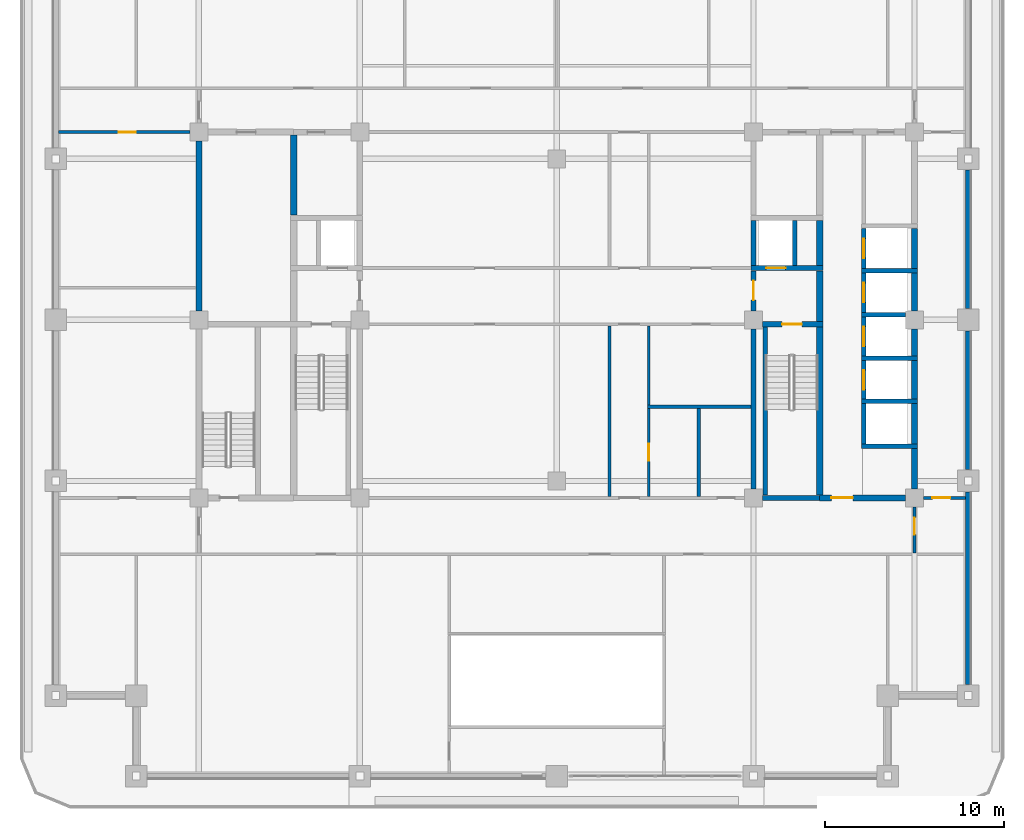
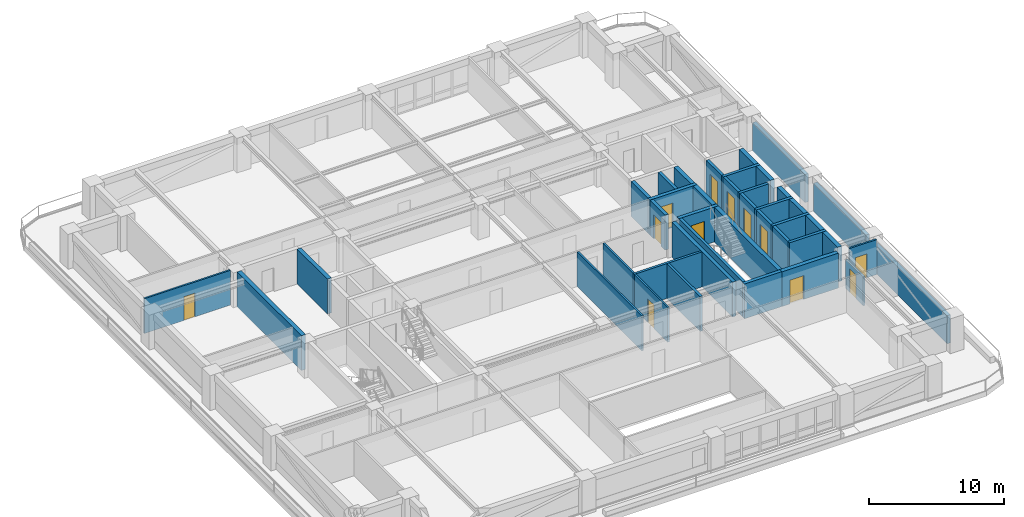
# One storey, part 9 of 17: 41 walls, 12 doors, 12 openings.
"""IFC4 building model written with IfcOpenShell, lengths in metres."""

from ifc_helpers import new_model, si_unit, direction, frame, frame_2d, origin, place, context, subcontext, project, spatial, rectangle, extrude, material, layer, layer_set, type_object, element, fill, save


model = new_model("IFC4")

# Units and contexts
model_context = context("Model", 3, precision=1e-05, world=origin(), true_north=direction((0.0, 1.0)))
body_context = subcontext(model_context, "Body", "Model", "MODEL_VIEW")
ifc_project = project(units=[si_unit("LENGTHUNIT", "METRE"), si_unit("AREAUNIT", "SQUARE_METRE"), si_unit("VOLUMEUNIT", "CUBIC_METRE"), si_unit("PLANEANGLEUNIT", "RADIAN"), si_unit("MASSUNIT", "GRAM", prefix="KILO")], contexts=[model_context])

# Site, building, storey
site_placement = place(None, origin())
site = spatial("IfcSite", under=ifc_project, at=site_placement, CompositionType="ELEMENT")
building_placement = place(site_placement, origin())
building = spatial("IfcBuilding", under=site, at=building_placement, Name="Zulmaris Gate Convention Tower", CompositionType="ELEMENT")
storey_placement = place(building_placement, frame((0.0, 0.0, 149.909912109375)))
storey = spatial("IfcBuildingStorey", under=building, at=storey_placement, Name="L38", CompositionType="ELEMENT", Elevation=149.909912109375)

# Walls
ifc_material_1 = material(Name="Concrete C50/60", Category="concrete")
ifc_layer_1 = layer(ifc_material_1, 0.25, Name="Concrete C50/60")
ifc_layer_set_1 = layer_set([ifc_layer_1], Name="Concrete C50/60")
wall_type_1 = type_object("IfcWallType", Name="CORE-250", PredefinedType="SOLIDWALL", material=ifc_layer_set_1)
for number, where, z_axis, x_axis, name in (
    (1, (17.02490234375, -7.050048828125, 0.0), (0.0, 0.0, 1.0), (1.0, 0.0, 0.0), "WL-L38-005"),
    (2, (17.02490234375, -4.550048828125, 0.0), (0.0, 0.0, 1.0), (1.0, 0.0, 0.0), "WL-L38-006"),
    (3, (17.02490234375, -2.14990234375, 0.0), (0.0, 0.0, 1.0), (1.0, 0.0, 0.0), "WL-L38-007"),
):
    element("IfcWall", number, at=place(storey_placement, frame(where, z_axis=z_axis, x_axis=x_axis)), inside=storey, type_object=wall_type_1, Name=name, PredefinedType="SOLIDWALL", context=body_context, shape_type="SweptSolid", body=[
        extrude(rectangle(XDim=3.150146484375, YDim=0.25, at=frame_2d((1.5751953125, 0.0))), origin(), (0.0, 0.0, 1.0), 3.14501953125),
    ])
wall_1_placement = place(storey_placement, frame((17.02490234375, 0.300048828125, 0.0), z_axis=(0.0, 0.0, 1.0), x_axis=(1.0, 0.0, 0.0)))
element("IfcWall", 4, at=wall_1_placement, inside=storey, type_object=wall_type_1, Name="WL-L38-010", PredefinedType="SOLIDWALL", context=body_context, shape_type="SweptSolid", body=[
    extrude(rectangle(XDim=2.47119140625, YDim=0.25, at=frame_2d((1.235595703125, 0.0))), origin(), (0.0, 0.0, 1.0), 3.14501953125),
])
wall_2_placement = place(storey_placement, frame((17.02490234375, 2.75, 0.0), z_axis=(0.0, 0.0, 1.0), x_axis=(1.0, 0.0, 0.0)))
element("IfcWall", 5, at=wall_2_placement, inside=storey, type_object=wall_type_1, Name="WL-L38-011", PredefinedType="SOLIDWALL", context=body_context, shape_type="SweptSolid", body=[
    extrude(rectangle(XDim=3.150146484375, YDim=0.25, at=frame_2d((1.5751953125, 0.0))), origin(), (0.0, 0.0, 1.0), 3.14501953125),
])
wall_3_placement = place(storey_placement, frame((11.64990234375, -9.798095703125, 0.0), z_axis=(0.0, 0.0, 1.0), x_axis=(0.0, 1.0, 0.0)))
element("IfcWall", 6, at=wall_3_placement, inside=storey, type_object=wall_type_1, Name="WL-L38-052", PredefinedType="SOLIDWALL", context=body_context, shape_type="SweptSolid", body=[
    extrude(rectangle(XDim=9.39599609375, YDim=0.25, at=frame_2d((4.697998046875, 0.0))), origin(), (0.0, 0.0, 1.0), 3.14501953125),
])
wall_4_placement = place(storey_placement, frame((13.300048828125, 3.052001953125, 0.0), z_axis=(0.0, 0.0, 1.0), x_axis=(0.0, 1.0, 0.0)))
element("IfcWall", 7, at=wall_4_placement, inside=storey, type_object=wall_type_1, Name="WL-L38-053", PredefinedType="SOLIDWALL", context=body_context, shape_type="SweptSolid", body=[
    extrude(rectangle(XDim=2.49609375, YDim=0.25, at=frame_2d((1.248046875, 0.0))), origin(), (0.0, 0.0, 1.0), 3.14501953125),
])
wall_5_placement = place(storey_placement, frame((17.14990234375, -6.923095703125, 0.0), z_axis=(0.0, 0.0, 1.0), x_axis=(0.0, 1.0, 0.0)))
element("IfcWall", 8, at=wall_5_placement, inside=storey, type_object=wall_type_1, Name="WL-L38-058", PredefinedType="SOLIDWALL", context=body_context, shape_type="SweptSolid", body=[
    extrude(rectangle(XDim=2.24609375, YDim=0.25, at=frame_2d((1.123046875, 0.0))), origin(), (0.0, 0.0, 1.0), 3.14501953125),
])

# Wall, opening, door
wall_6_placement = place(storey_placement, frame((17.14990234375, -4.423095703125, 0.0), z_axis=(0.0, 0.0, 1.0), x_axis=(0.0, 1.0, 0.0)))
wall_6 = element("IfcWall", 9, at=wall_6_placement, inside=storey, type_object=wall_type_1, Name="WL-L38-059", PredefinedType="SOLIDWALL", context=body_context, shape_type="SweptSolid", body=[
    extrude(rectangle(XDim=2.14599609375, YDim=0.25, at=frame_2d((1.072998046875, 0.0))), origin(), (0.0, 0.0, 1.0), 3.14501953125),
])
opening_1_placement = place(wall_6_placement, frame((0.52294921875, 0.0, 0.0)))
opening_1 = element("IfcOpeningElement", 10, at=opening_1_placement, cuts=wall_6, Name="Opening D-06", PredefinedType="OPENING", context=body_context, shape_type="SweptSolid", body=[
    extrude(rectangle(XDim=1.10009765625, YDim=2.199951171875, at=frame_2d((0.550048828125, 1.10009765625))), frame((0.0, 0.135009765625, 0.0), z_axis=(0.0, -1.0, 0.0), x_axis=(1.0, 0.0, 0.0)), (0.0, 0.0, 1.0), 0.27001953125),
])
ifc_material_2 = material(Name="Brushed Stainless Steel", Category="steel")
door_type_1 = type_object("IfcDoorType", Name="LD-1100", OperationType="NOTDEFINED", PredefinedType="DOOR", material=ifc_material_2)
door_1_placement = place(opening_1_placement, origin())
door_1 = element("IfcDoor", 11, at=door_1_placement, inside=storey, type_object=door_type_1, Name="L38 Lift Landing Door MP-01 11", OperationType="SLIDING_TO_RIGHT", OverallHeight=2.199951171875, OverallWidth=1.10009765625, PredefinedType="DOOR", context=body_context, shape_type="SweptSolid", body=[
    extrude(rectangle(XDim=1.10009765625, YDim=2.199951171875, at=frame_2d((0.550048828125, 1.10009765625))), frame((0.0, 0.02490234375, 0.0), z_axis=(0.0, -1.0, 0.0), x_axis=(1.0, 0.0, 0.0)), (0.0, 0.0, 1.0), 0.050048828125),
])
fill(opening_1, door_1)

wall_7_placement = place(storey_placement, frame((17.14990234375, -2.02294921875, 0.0), z_axis=(0.0, 0.0, 1.0), x_axis=(0.0, 1.0, 0.0)))
wall_7 = element("IfcWall", 12, at=wall_7_placement, inside=storey, type_object=wall_type_1, Name="WL-L38-060", PredefinedType="SOLIDWALL", context=body_context, shape_type="SweptSolid", body=[
    extrude(rectangle(XDim=2.196044921875, YDim=0.25, at=frame_2d((1.09814453125, 0.0))), origin(), (0.0, 0.0, 1.0), 3.14501953125),
])
opening_2_placement = place(wall_7_placement, frame((0.548095703125, 0.0, 0.0)))
opening_2 = element("IfcOpeningElement", 13, at=opening_2_placement, cuts=wall_7, Name="Opening D-06", PredefinedType="OPENING", context=body_context, shape_type="SweptSolid", body=[
    extrude(rectangle(XDim=1.10009765625, YDim=2.199951171875, at=frame_2d((0.550048828125, 1.10009765625))), frame((0.0, 0.135009765625, 0.0), z_axis=(0.0, -1.0, 0.0), x_axis=(1.0, 0.0, 0.0)), (0.0, 0.0, 1.0), 0.27001953125),
])
door_2_placement = place(opening_2_placement, origin())
door_2 = element("IfcDoor", 14, at=door_2_placement, inside=storey, type_object=door_type_1, Name="L38 Lift Landing Door MP-02 12", OperationType="SLIDING_TO_RIGHT", OverallHeight=2.199951171875, OverallWidth=1.10009765625, PredefinedType="DOOR", context=body_context, shape_type="SweptSolid", body=[
    extrude(rectangle(XDim=1.10009765625, YDim=2.199951171875, at=frame_2d((0.550048828125, 1.10009765625))), frame((0.0, 0.02490234375, 0.0), z_axis=(0.0, -1.0, 0.0), x_axis=(1.0, 0.0, 0.0)), (0.0, 0.0, 1.0), 0.050048828125),
])
fill(opening_2, door_2)

wall_8_placement = place(storey_placement, frame((17.14990234375, 0.427001953125, 0.0), z_axis=(0.0, 0.0, 1.0), x_axis=(0.0, 1.0, 0.0)))
wall_8 = element("IfcWall", 15, at=wall_8_placement, inside=storey, type_object=wall_type_1, Name="WL-L38-061", PredefinedType="SOLIDWALL", context=body_context, shape_type="SweptSolid", body=[
    extrude(rectangle(XDim=2.196044921875, YDim=0.25, at=frame_2d((1.09814453125, 0.0))), origin(), (0.0, 0.0, 1.0), 3.14501953125),
])
opening_3_placement = place(wall_8_placement, frame((0.548095703125, 0.0, 0.0)))
opening_3 = element("IfcOpeningElement", 16, at=opening_3_placement, cuts=wall_8, Name="Opening D-06", PredefinedType="OPENING", context=body_context, shape_type="SweptSolid", body=[
    extrude(rectangle(XDim=1.10009765625, YDim=2.199951171875, at=frame_2d((0.550048828125, 1.10009765625))), frame((0.0, 0.135009765625, 0.0), z_axis=(0.0, -1.0, 0.0), x_axis=(1.0, 0.0, 0.0)), (0.0, 0.0, 1.0), 0.27001953125),
])
door_3_placement = place(opening_3_placement, origin())
door_3 = element("IfcDoor", 17, at=door_3_placement, inside=storey, type_object=door_type_1, Name="L38 Lift Landing Door MP-03 13", OperationType="SLIDING_TO_RIGHT", OverallHeight=2.199951171875, OverallWidth=1.10009765625, PredefinedType="DOOR", context=body_context, shape_type="SweptSolid", body=[
    extrude(rectangle(XDim=1.10009765625, YDim=2.199951171875, at=frame_2d((0.550048828125, 1.10009765625))), frame((0.0, 0.02490234375, 0.0), z_axis=(0.0, -1.0, 0.0), x_axis=(1.0, 0.0, 0.0)), (0.0, 0.0, 1.0), 0.050048828125),
])
fill(opening_3, door_3)

wall_9_placement = place(storey_placement, frame((17.14990234375, 2.876953125, 0.0), z_axis=(0.0, 0.0, 1.0), x_axis=(0.0, 1.0, 0.0)))
wall_9 = element("IfcWall", 18, at=wall_9_placement, inside=storey, type_object=wall_type_1, Name="WL-L38-062", PredefinedType="SOLIDWALL", context=body_context, shape_type="SweptSolid", body=[
    extrude(rectangle(XDim=2.24609375, YDim=0.25, at=frame_2d((1.123046875, 0.0))), origin(), (0.0, 0.0, 1.0), 3.14501953125),
])
opening_4_placement = place(wall_9_placement, frame((0.572998046875, 0.0, 0.0)))
opening_4 = element("IfcOpeningElement", 19, at=opening_4_placement, cuts=wall_9, Name="Opening D-06", PredefinedType="OPENING", context=body_context, shape_type="SweptSolid", body=[
    extrude(rectangle(XDim=1.10009765625, YDim=2.199951171875, at=frame_2d((0.550048828125, 1.10009765625))), frame((0.0, 0.135009765625, 0.0), z_axis=(0.0, -1.0, 0.0), x_axis=(1.0, 0.0, 0.0)), (0.0, 0.0, 1.0), 0.27001953125),
])
door_4_placement = place(opening_4_placement, origin())
door_4 = element("IfcDoor", 20, at=door_4_placement, inside=storey, type_object=door_type_1, Name="L38 Lift Landing Door MP-04 14", OperationType="SLIDING_TO_RIGHT", OverallHeight=2.199951171875, OverallWidth=1.10009765625, PredefinedType="DOOR", context=body_context, shape_type="SweptSolid", body=[
    extrude(rectangle(XDim=1.10009765625, YDim=2.199951171875, at=frame_2d((0.550048828125, 1.10009765625))), frame((0.0, 0.02490234375, 0.0), z_axis=(0.0, -1.0, 0.0), x_axis=(1.0, 0.0, 0.0)), (0.0, 0.0, 1.0), 0.050048828125),
])
fill(opening_4, door_4)

# Wall
ifc_layer_2 = layer(ifc_material_1, 0.300048828125, Name="Concrete C50/60")
ifc_layer_set_2 = layer_set([ifc_layer_2], Name="Concrete C50/60")
wall_type_2 = type_object("IfcWallType", Name="CORE-300", PredefinedType="SHEAR", material=ifc_layer_set_2)
wall_10_placement = place(storey_placement, frame((11.50390625, -9.949951171875, 0.0), z_axis=(0.0, 0.0, 1.0), x_axis=(1.0, 0.0, 0.0)))
element("IfcWall", 21, at=wall_10_placement, inside=storey, type_object=wall_type_2, Name="WL-L38-003", PredefinedType="SHEAR", context=body_context, shape_type="SweptSolid", body=[
    extrude(rectangle(XDim=3.196044921875, YDim=0.300048828125, at=frame_2d((1.59814453125, 0.0))), origin(), (0.0, 0.0, 1.0), 3.14501953125),
])

# Wall, opening, door
wall_11_placement = place(storey_placement, frame((11.50390625, -0.25, 0.0), z_axis=(0.0, 0.0, 1.0), x_axis=(1.0, 0.0, 0.0)))
wall_11 = element("IfcWall", 22, at=wall_11_placement, inside=storey, type_object=wall_type_2, Name="WL-L38-009", PredefinedType="SHEAR", context=body_context, shape_type="SweptSolid", body=[
    extrude(rectangle(XDim=3.37109375, YDim=0.300048828125, at=frame_2d((1.685546875, 0.0))), origin(), (0.0, 0.0, 1.0), 3.14501953125),
])
opening_5_placement = place(wall_11_placement, frame((1.095947265625, 0.0, 0.0)))
opening_5 = element("IfcOpeningElement", 23, at=opening_5_placement, cuts=wall_11, Name="Opening D-08", PredefinedType="OPENING", context=body_context, shape_type="SweptSolid", body=[
    extrude(rectangle(XDim=1.10009765625, YDim=2.14990234375, at=frame_2d((0.550048828125, 1.074951171875))), frame((0.0, 0.16015625, 0.0), z_axis=(0.0, -1.0, 0.0), x_axis=(1.0, 0.0, 0.0)), (0.0, 0.0, 1.0), 0.320068359375),
])
ifc_material_3 = material(Name="Fire-Rated Steel", Category="steel")
door_type_2 = type_object("IfcDoorType", Name="DR-1100-FD", OperationType="NOTDEFINED", PredefinedType="DOOR", material=ifc_material_3)
door_5_placement = place(opening_5_placement, origin())
door_5 = element("IfcDoor", 24, at=door_5_placement, inside=storey, type_object=door_type_2, Name="L38 Exit Stair ST-2 Door 04", OperationType="SINGLE_SWING_LEFT", OverallHeight=2.14990234375, OverallWidth=1.10009765625, PredefinedType="DOOR", context=body_context, shape_type="SweptSolid", body=[
    extrude(rectangle(XDim=1.10009765625, YDim=2.14990234375, at=frame_2d((0.550048828125, 1.074951171875))), frame((0.0, 0.02490234375, 0.0), z_axis=(0.0, -1.0, 0.0), x_axis=(1.0, 0.0, 0.0)), (0.0, 0.0, 1.0), 0.050048828125),
])
fill(opening_5, door_5)

wall_12_placement = place(storey_placement, frame((10.85009765625, 2.89990234375, 0.0), z_axis=(0.0, 0.0, 1.0), x_axis=(1.0, 0.0, 0.0)))
wall_12 = element("IfcWall", 25, at=wall_12_placement, inside=storey, type_object=wall_type_2, Name="WL-L38-013", PredefinedType="SHEAR", context=body_context, shape_type="SweptSolid", body=[
    extrude(rectangle(XDim=4.02490234375, YDim=0.300048828125, at=frame_2d((2.012451171875, 0.0))), origin(), (0.0, 0.0, 1.0), 3.14501953125),
])
opening_6_placement = place(wall_12_placement, frame((0.85009765625, 0.0, 0.0)))
opening_6 = element("IfcOpeningElement", 26, at=opening_6_placement, cuts=wall_12, Name="Opening D-06", PredefinedType="OPENING", context=body_context, shape_type="SweptSolid", body=[
    extrude(rectangle(XDim=1.10009765625, YDim=2.199951171875, at=frame_2d((0.550048828125, 1.10009765625))), frame((0.0, 0.16015625, 0.0), z_axis=(0.0, -1.0, 0.0), x_axis=(1.0, 0.0, 0.0)), (0.0, 0.0, 1.0), 0.320068359375),
])
door_6_placement = place(opening_6_placement, origin())
door_6 = element("IfcDoor", 27, at=door_6_placement, inside=storey, type_object=door_type_1, Name="L38 Lift Landing Door LF-02 06", OperationType="SLIDING_TO_RIGHT", OverallHeight=2.199951171875, OverallWidth=1.10009765625, PredefinedType="DOOR", context=body_context, shape_type="SweptSolid", body=[
    extrude(rectangle(XDim=1.10009765625, YDim=2.199951171875, at=frame_2d((0.550048828125, 1.10009765625))), frame((0.0, 0.02490234375, 0.0), z_axis=(0.0, -1.0, 0.0), x_axis=(1.0, 0.0, 0.0)), (0.0, 0.0, 1.0), 0.050048828125),
])
fill(opening_6, door_6)

# Wall
wall_13_placement = place(storey_placement, frame((11.0, -9.446044921875, 0.0), z_axis=(0.0, 0.0, 1.0), x_axis=(0.0, 1.0, 0.0)))
element("IfcWall", 28, at=wall_13_placement, inside=storey, type_object=wall_type_2, Name="WL-L38-048", PredefinedType="SHEAR", context=body_context, shape_type="SweptSolid", body=[
    extrude(rectangle(XDim=8.942138671875, YDim=0.300048828125, at=frame_2d((4.47119140625, 0.0))), origin(), (0.0, 0.0, 1.0), 3.14501953125),
])

# Wall, opening, door
wall_14_placement = place(storey_placement, frame((11.0, 0.50390625, 0.0), z_axis=(0.0, 0.0, 1.0), x_axis=(0.0, 1.0, 0.0)))
wall_14 = element("IfcWall", 29, at=wall_14_placement, inside=storey, type_object=wall_type_2, Name="WL-L38-049", PredefinedType="SHEAR", context=body_context, shape_type="SweptSolid", body=[
    extrude(rectangle(XDim=2.244140625, YDim=0.300048828125, at=frame_2d((1.1220703125, 0.0))), origin(), (0.0, 0.0, 1.0), 3.14501953125),
])
opening_7_placement = place(wall_14_placement, frame((0.595947265625, 0.0, 0.0)))
opening_7 = element("IfcOpeningElement", 30, at=opening_7_placement, cuts=wall_14, Name="Opening D-08", PredefinedType="OPENING", context=body_context, shape_type="SweptSolid", body=[
    extrude(rectangle(XDim=1.10009765625, YDim=2.14990234375, at=frame_2d((0.550048828125, 1.074951171875))), frame((0.0, 0.16015625, 0.0), z_axis=(0.0, -1.0, 0.0), x_axis=(1.0, 0.0, 0.0)), (0.0, 0.0, 1.0), 0.320068359375),
])
door_7_placement = place(opening_7_placement, origin())
door_7 = element("IfcDoor", 31, at=door_7_placement, inside=storey, type_object=door_type_2, Name="L38 East Firefighting Lobby Door 05", OperationType="SINGLE_SWING_RIGHT", OverallHeight=2.14990234375, OverallWidth=1.10009765625, PredefinedType="DOOR", context=body_context, shape_type="SweptSolid", body=[
    extrude(rectangle(XDim=1.10009765625, YDim=2.14990234375, at=frame_2d((0.550048828125, 1.074951171875))), frame((0.0, 0.02490234375, 0.0), z_axis=(0.0, -1.0, 0.0), x_axis=(1.0, 0.0, 0.0)), (0.0, 0.0, 1.0), 0.050048828125),
])
fill(opening_7, door_7)

# Wall
wall_15_placement = place(storey_placement, frame((11.0, 3.052001953125, 0.0), z_axis=(0.0, 0.0, 1.0), x_axis=(0.0, 1.0, 0.0)))
element("IfcWall", 32, at=wall_15_placement, inside=storey, type_object=wall_type_2, Name="WL-L38-050", PredefinedType="SHEAR", context=body_context, shape_type="SweptSolid", body=[
    extrude(rectangle(XDim=2.49609375, YDim=0.300048828125, at=frame_2d((1.248046875, 0.0))), origin(), (0.0, 0.0, 1.0), 3.14501953125),
])

# Wall, opening, door
ifc_material_4 = material(Name="Concrete C55/67", Category="concrete")
ifc_layer_3 = layer(ifc_material_4, 0.35009765625, Name="Concrete C55/67")
ifc_layer_set_3 = layer_set([ifc_layer_3], Name="Concrete C55/67")
wall_type_3 = type_object("IfcWallType", Name="CORE-350", PredefinedType="SHEAR", material=ifc_layer_set_3)
wall_16_placement = place(storey_placement, frame((14.699951171875, -9.949951171875, 0.0), z_axis=(0.0, 0.0, 1.0), x_axis=(1.0, 0.0, 0.0)))
wall_16 = element("IfcWall", 33, at=wall_16_placement, inside=storey, type_object=wall_type_3, Name="WL-L38-004", PredefinedType="SHEAR", context=body_context, shape_type="SweptSolid", body=[
    extrude(rectangle(XDim=4.796142578125, YDim=0.35009765625, at=frame_2d((2.39794921875, 0.0))), origin(), (0.0, 0.0, 1.0), 3.14501953125),
])
opening_8_placement = place(wall_16_placement, frame((0.64990234375, 0.0, 0.0)))
opening_8 = element("IfcOpeningElement", 34, at=opening_8_placement, cuts=wall_16, Name="Opening D-13", PredefinedType="OPENING", context=body_context, shape_type="SweptSolid", body=[
    extrude(rectangle(XDim=1.199951171875, YDim=2.14990234375, at=frame_2d((0.60009765625, 1.074951171875))), frame((0.0, 0.18505859375, 0.0), z_axis=(0.0, -1.0, 0.0), x_axis=(1.0, 0.0, 0.0)), (0.0, 0.0, 1.0), 0.3701171875),
])
door_type_3 = type_object("IfcDoorType", Name="DR-1200-FD", OperationType="NOTDEFINED", PredefinedType="DOOR", material=ifc_material_3)
door_8_placement = place(opening_8_placement, origin())
door_8 = element("IfcDoor", 35, at=door_8_placement, inside=storey, type_object=door_type_3, Name="L38 East Lift Lobby South Door 15", OperationType="SINGLE_SWING_LEFT", OverallHeight=2.14990234375, OverallWidth=1.199951171875, PredefinedType="DOOR", context=body_context, shape_type="SweptSolid", body=[
    extrude(rectangle(XDim=1.199951171875, YDim=2.14990234375, at=frame_2d((0.60009765625, 1.074951171875))), frame((0.0, 0.02490234375, 0.0), z_axis=(0.0, -1.0, 0.0), x_axis=(1.0, 0.0, 0.0)), (0.0, 0.0, 1.0), 0.050048828125),
])
fill(opening_8, door_8)

# Walls
wall_17_placement = place(storey_placement, frame((-20.0, 0.50390625, 0.0), z_axis=(0.0, 0.0, 1.0), x_axis=(0.0, 1.0, 0.0)))
element("IfcWall", 36, at=wall_17_placement, inside=storey, type_object=wall_type_3, Name="WL-L38-036", PredefinedType="SHEAR", context=body_context, shape_type="SweptSolid", body=[
    extrude(rectangle(XDim=9.4921875, YDim=0.35009765625, at=frame_2d((4.74609375, 0.0))), origin(), (0.0, 0.0, 1.0), 3.14501953125),
])
wall_18_placement = place(storey_placement, frame((-14.699951171875, 5.85205078125, 0.0), z_axis=(0.0, 0.0, 1.0), x_axis=(0.0, 1.0, 0.0)))
element("IfcWall", 37, at=wall_18_placement, inside=storey, type_object=wall_type_3, Name="WL-L38-041", PredefinedType="SHEAR", context=body_context, shape_type="SweptSolid", body=[
    extrude(rectangle(XDim=4.470947265625, YDim=0.35009765625, at=frame_2d((2.2353515625, 0.0))), origin(), (0.0, 0.0, 1.0), 3.14501953125),
])
wall_19_placement = place(storey_placement, frame((14.699951171875, -9.77294921875, 0.0), z_axis=(0.0, 0.0, 1.0), x_axis=(0.0, 1.0, 0.0)))
element("IfcWall", 38, at=wall_19_placement, inside=storey, type_object=wall_type_3, Name="WL-L38-054", PredefinedType="SHEAR", context=body_context, shape_type="SweptSolid", body=[
    extrude(rectangle(XDim=9.370849609375, YDim=0.35009765625, at=frame_2d((4.685546875, 0.0))), origin(), (0.0, 0.0, 1.0), 3.14501953125),
])
wall_20_placement = place(storey_placement, frame((14.699951171875, -0.097900390625, 0.0), z_axis=(0.0, 0.0, 1.0), x_axis=(0.0, 1.0, 0.0)))
element("IfcWall", 39, at=wall_20_placement, inside=storey, type_object=wall_type_3, Name="WL-L38-055", PredefinedType="SHEAR", context=body_context, shape_type="SweptSolid", body=[
    extrude(rectangle(XDim=2.845947265625, YDim=0.35009765625, at=frame_2d((1.4228515625, 0.0))), origin(), (0.0, 0.0, 1.0), 3.14501953125),
])
wall_21_placement = place(storey_placement, frame((14.699951171875, 3.052001953125, 0.0), z_axis=(0.0, 0.0, 1.0), x_axis=(0.0, 1.0, 0.0)))
element("IfcWall", 40, at=wall_21_placement, inside=storey, type_object=wall_type_3, Name="WL-L38-056", PredefinedType="SHEAR", context=body_context, shape_type="SweptSolid", body=[
    extrude(rectangle(XDim=2.49609375, YDim=0.35009765625, at=frame_2d((1.248046875, 0.0))), origin(), (0.0, 0.0, 1.0), 3.14501953125),
])
wall_22_placement = place(storey_placement, frame((20.0, -9.446044921875, 0.0), z_axis=(0.0, 0.0, 1.0), x_axis=(0.0, 1.0, 0.0)))
element("IfcWall", 41, at=wall_22_placement, inside=storey, type_object=wall_type_3, Name="WL-L38-063", PredefinedType="SHEAR", context=body_context, shape_type="SweptSolid", body=[
    extrude(rectangle(XDim=2.26904296875, YDim=0.35009765625, at=frame_2d((1.134521484375, 0.0))), origin(), (0.0, 0.0, 1.0), 3.14501953125),
])
wall_23_placement = place(storey_placement, frame((20.0, -6.923095703125, 0.0), z_axis=(0.0, 0.0, 1.0), x_axis=(0.0, 1.0, 0.0)))
element("IfcWall", 42, at=wall_23_placement, inside=storey, type_object=wall_type_3, Name="WL-L38-064", PredefinedType="SHEAR", context=body_context, shape_type="SweptSolid", body=[
    extrude(rectangle(XDim=2.24609375, YDim=0.35009765625, at=frame_2d((1.123046875, 0.0))), origin(), (0.0, 0.0, 1.0), 3.14501953125),
])
wall_24_placement = place(storey_placement, frame((20.0, -4.423095703125, 0.0), z_axis=(0.0, 0.0, 1.0), x_axis=(0.0, 1.0, 0.0)))
element("IfcWall", 43, at=wall_24_placement, inside=storey, type_object=wall_type_3, Name="WL-L38-065", PredefinedType="SHEAR", context=body_context, shape_type="SweptSolid", body=[
    extrude(rectangle(XDim=2.14599609375, YDim=0.35009765625, at=frame_2d((1.072998046875, 0.0))), origin(), (0.0, 0.0, 1.0), 3.14501953125),
])
wall_25_placement = place(storey_placement, frame((20.0, -2.02294921875, 0.0), z_axis=(0.0, 0.0, 1.0), x_axis=(0.0, 1.0, 0.0)))
element("IfcWall", 44, at=wall_25_placement, inside=storey, type_object=wall_type_3, Name="WL-L38-066", PredefinedType="SHEAR", context=body_context, shape_type="SweptSolid", body=[
    extrude(rectangle(XDim=1.51904296875, YDim=0.35009765625, at=frame_2d((0.759521484375, 0.0))), origin(), (0.0, 0.0, 1.0), 3.14501953125),
])
wall_26_placement = place(storey_placement, frame((20.0, 0.50390625, 0.0), z_axis=(0.0, 0.0, 1.0), x_axis=(0.0, 1.0, 0.0)))
element("IfcWall", 45, at=wall_26_placement, inside=storey, type_object=wall_type_3, Name="WL-L38-067", PredefinedType="SHEAR", context=body_context, shape_type="SweptSolid", body=[
    extrude(rectangle(XDim=2.119140625, YDim=0.35009765625, at=frame_2d((1.0595703125, 0.0))), origin(), (0.0, 0.0, 1.0), 3.14501953125),
])
wall_27_placement = place(storey_placement, frame((20.0, 2.876953125, 0.0), z_axis=(0.0, 0.0, 1.0), x_axis=(0.0, 1.0, 0.0)))
element("IfcWall", 46, at=wall_27_placement, inside=storey, type_object=wall_type_3, Name="WL-L38-068", PredefinedType="SHEAR", context=body_context, shape_type="SweptSolid", body=[
    extrude(rectangle(XDim=2.24609375, YDim=0.35009765625, at=frame_2d((1.123046875, 0.0))), origin(), (0.0, 0.0, 1.0), 3.14501953125),
])

# Wall, opening, door
ifc_material_5 = material(Name="Gypsum Metal Stud Partition")
ifc_layer_4 = layer(ifc_material_5, 0.14990234375, Name="Gypsum Metal Stud Partition")
ifc_layer_set_4 = layer_set([ifc_layer_4], Name="Gypsum Metal Stud Partition")
wall_type_4 = type_object("IfcWallType", Name="PART-150", PredefinedType="PARTITIONING", material=ifc_layer_set_4)
wall_28_placement = place(storey_placement, frame((20.506103515625, -9.949951171875, 0.0), z_axis=(0.0, 0.0, 1.0), x_axis=(1.0, 0.0, 0.0)))
wall_28 = element("IfcWall", 47, at=wall_28_placement, inside=storey, type_object=wall_type_4, Name="WL-L38-026", PredefinedType="PARTITIONING", context=body_context, shape_type="SweptSolid", body=[
    extrude(rectangle(XDim=2.328857421875, YDim=0.14990234375, at=frame_2d((1.16455078125, 0.0))), origin(), (0.0, 0.0, 1.0), 3.14501953125),
])
opening_9_placement = place(wall_28_placement, frame((0.493896484375, 0.0, 0.0)))
opening_9 = element("IfcOpeningElement", 48, at=opening_9_placement, cuts=wall_28, Name="Opening D-10", PredefinedType="OPENING", context=body_context, shape_type="SweptSolid", body=[
    extrude(rectangle(XDim=1.0, YDim=2.14990234375, at=frame_2d((0.5, 1.074951171875))), frame((0.0, 0.0849609375, 0.0), z_axis=(0.0, -1.0, 0.0), x_axis=(1.0, 0.0, 0.0)), (0.0, 0.0, 1.0), 0.169921875),
])
ifc_material_6 = material(Name="Fire-Rated Timber", Category="wood")
door_type_4 = type_object("IfcDoorType", Name="DR-1000-FD", OperationType="NOTDEFINED", PredefinedType="DOOR", material=ifc_material_6)
door_9_placement = place(opening_9_placement, origin())
door_9 = element("IfcDoor", 49, at=door_9_placement, inside=storey, type_object=door_type_4, Name="L38 East Workplace South Door 44", OperationType="SINGLE_SWING_RIGHT", OverallHeight=2.14990234375, OverallWidth=1.0, PredefinedType="DOOR", context=body_context, shape_type="SweptSolid", body=[
    extrude(rectangle(XDim=1.0, YDim=2.14990234375, at=frame_2d((0.5, 1.074951171875))), frame((0.0, 0.02490234375, 0.0), z_axis=(0.0, -1.0, 0.0), x_axis=(1.0, 0.0, 0.0)), (0.0, 0.0, 1.0), 0.050048828125),
])
fill(opening_9, door_9)

wall_29_placement = place(storey_placement, frame((-27.8349609375, 10.5, 0.0), z_axis=(0.0, 0.0, 1.0), x_axis=(1.0, 0.0, 0.0)))
wall_29 = element("IfcWall", 50, at=wall_29_placement, inside=storey, type_object=wall_type_4, Name="WL-L38-031", PredefinedType="PARTITIONING", context=body_context, shape_type="SweptSolid", body=[
    extrude(rectangle(XDim=7.328857421875, YDim=0.14990234375, at=frame_2d((3.66455078125, 0.0))), origin(), (0.0, 0.0, 1.0), 3.14501953125),
])
opening_10_placement = place(wall_29_placement, frame((3.360107421875, 0.0, 0.0)))
opening_10 = element("IfcOpeningElement", 51, at=opening_10_placement, cuts=wall_29, Name="Opening D-11", PredefinedType="OPENING", context=body_context, shape_type="SweptSolid", body=[
    extrude(rectangle(XDim=0.949951171875, YDim=2.14990234375, at=frame_2d((0.47509765625, 1.074951171875))), frame((0.0, 0.0849609375, 0.0), z_axis=(0.0, -1.0, 0.0), x_axis=(1.0, 0.0, 0.0)), (0.0, 0.0, 1.0), 0.169921875),
])
door_type_5 = type_object("IfcDoorType", Name="DR-950-FD", OperationType="NOTDEFINED", PredefinedType="DOOR", material=ifc_material_6)
door_10_placement = place(opening_10_placement, origin())
door_10 = element("IfcDoor", 52, at=door_10_placement, inside=storey, type_object=door_type_5, Name="L38 NW Partner Door 39", OperationType="SINGLE_SWING_LEFT", OverallHeight=2.14990234375, OverallWidth=0.949951171875, PredefinedType="DOOR", context=body_context, shape_type="SweptSolid", body=[
    extrude(rectangle(XDim=0.949951171875, YDim=2.14990234375, at=frame_2d((0.47509765625, 1.074951171875))), frame((0.0, 0.02490234375, 0.0), z_axis=(0.0, -1.0, 0.0), x_axis=(1.0, 0.0, 0.0)), (0.0, 0.0, 1.0), 0.050048828125),
])
fill(opening_10, door_10)

# Wall
wall_30_placement = place(storey_placement, frame((2.949951171875, -9.8720703125, 0.0), z_axis=(0.0, 0.0, 1.0), x_axis=(0.0, 1.0, 0.0)))
element("IfcWall", 53, at=wall_30_placement, inside=storey, type_object=wall_type_4, Name="WL-L38-079", PredefinedType="PARTITIONING", context=body_context, shape_type="SweptSolid", body=[
    extrude(rectangle(XDim=9.544189453125, YDim=0.14990234375, at=frame_2d((4.77197265625, 0.0))), origin(), (0.0, 0.0, 1.0), 3.14501953125),
])

# Wall, opening, door
wall_31_placement = place(storey_placement, frame((5.14990234375, -9.8720703125, 0.0), z_axis=(0.0, 0.0, 1.0), x_axis=(0.0, 1.0, 0.0)))
wall_31 = element("IfcWall", 54, at=wall_31_placement, inside=storey, type_object=wall_type_4, Name="WL-L38-081", PredefinedType="PARTITIONING", context=body_context, shape_type="SweptSolid", body=[
    extrude(rectangle(XDim=4.919189453125, YDim=0.14990234375, at=frame_2d((2.45947265625, 0.0))), origin(), (0.0, 0.0, 1.0), 3.14501953125),
])
opening_11_placement = place(wall_31_placement, frame((1.9970703125, 0.0, 0.0)))
opening_11 = element("IfcOpeningElement", 55, at=opening_11_placement, cuts=wall_31, Name="Opening D-11", PredefinedType="OPENING", context=body_context, shape_type="SweptSolid", body=[
    extrude(rectangle(XDim=0.949951171875, YDim=2.14990234375, at=frame_2d((0.47509765625, 1.074951171875))), frame((0.0, 0.0849609375, 0.0), z_axis=(0.0, -1.0, 0.0), x_axis=(1.0, 0.0, 0.0)), (0.0, 0.0, 1.0), 0.169921875),
])
door_11_placement = place(opening_11_placement, origin())
door_11 = element("IfcDoor", 56, at=door_11_placement, inside=storey, type_object=door_type_5, Name="L38 Accessible WC Door 35", OperationType="SINGLE_SWING_LEFT", OverallHeight=2.14990234375, OverallWidth=0.949951171875, PredefinedType="DOOR", context=body_context, shape_type="SweptSolid", body=[
    extrude(rectangle(XDim=0.949951171875, YDim=2.14990234375, at=frame_2d((0.47509765625, 1.074951171875))), frame((0.0, 0.02490234375, 0.0), z_axis=(0.0, -1.0, 0.0), x_axis=(1.0, 0.0, 0.0)), (0.0, 0.0, 1.0), 0.050048828125),
])
fill(opening_11, door_11)

# Wall
wall_32_placement = place(storey_placement, frame((5.14990234375, -4.7470703125, 0.0), z_axis=(0.0, 0.0, 1.0), x_axis=(0.0, 1.0, 0.0)))
element("IfcWall", 57, at=wall_32_placement, inside=storey, type_object=wall_type_4, Name="WL-L38-082", PredefinedType="PARTITIONING", context=body_context, shape_type="SweptSolid", body=[
    extrude(rectangle(XDim=4.419189453125, YDim=0.14990234375, at=frame_2d((2.20947265625, 0.0))), origin(), (0.0, 0.0, 1.0), 3.14501953125),
])

# Wall, opening, door
wall_33_placement = place(storey_placement, frame((20.0, -13.02197265625, 0.0), z_axis=(0.0, 0.0, 1.0), x_axis=(0.0, 1.0, 0.0)))
wall_33 = element("IfcWall", 58, at=wall_33_placement, inside=storey, type_object=wall_type_4, Name="WL-L38-092", PredefinedType="PARTITIONING", context=body_context, shape_type="SweptSolid", body=[
    extrude(rectangle(XDim=2.56591796875, YDim=0.14990234375, at=frame_2d((1.282958984375, 0.0))), origin(), (0.0, 0.0, 1.0), 2.635009765625),
])
opening_12_placement = place(wall_33_placement, frame((1.027099609375, 0.0, 0.0)))
opening_12 = element("IfcOpeningElement", 59, at=opening_12_placement, cuts=wall_33, Name="Opening D-11", PredefinedType="OPENING", context=body_context, shape_type="SweptSolid", body=[
    extrude(rectangle(XDim=0.949951171875, YDim=2.14990234375, at=frame_2d((0.47509765625, 1.074951171875))), frame((0.0, 0.0849609375, 0.0), z_axis=(0.0, -1.0, 0.0), x_axis=(1.0, 0.0, 0.0)), (0.0, 0.0, 1.0), 0.169921875),
])
door_12_placement = place(opening_12_placement, origin())
door_12 = element("IfcDoor", 60, at=door_12_placement, inside=storey, type_object=door_type_5, Name="L38 SE Spur Door 42", OperationType="SINGLE_SWING_RIGHT", OverallHeight=2.14990234375, OverallWidth=0.949951171875, PredefinedType="DOOR", context=body_context, shape_type="SweptSolid", body=[
    extrude(rectangle(XDim=0.949951171875, YDim=2.14990234375, at=frame_2d((0.47509765625, 1.074951171875))), frame((0.0, 0.02490234375, 0.0), z_axis=(0.0, -1.0, 0.0), x_axis=(1.0, 0.0, 0.0)), (0.0, 0.0, 1.0), 0.050048828125),
])
fill(opening_12, door_12)

# Walls
ifc_material_7 = material(Name="Autoclaved Aerated Concrete Block and Plasterboard", Category="concrete")
ifc_layer_5 = layer(ifc_material_7, 0.199951171875, Name="Autoclaved Aerated Concrete Block and Plasterboard")
ifc_layer_set_5 = layer_set([ifc_layer_5], Name="Autoclaved Aerated Concrete Block and Plasterboard")
wall_type_5 = type_object("IfcWallType", Name="PART-200", PredefinedType="PARTITIONING", material=ifc_layer_set_5)
wall_34_placement = place(storey_placement, frame((5.074951171875, -4.85009765625, 0.0), z_axis=(0.0, 0.0, 1.0), x_axis=(1.0, 0.0, 0.0)))
element("IfcWall", 61, at=wall_34_placement, inside=storey, type_object=wall_type_5, Name="WL-L38-027", PredefinedType="PARTITIONING", context=body_context, shape_type="SweptSolid", body=[
    extrude(rectangle(XDim=5.77197265625, YDim=0.199951171875, at=frame_2d((2.885986328125, 0.0))), origin(), (0.0, 0.0, 1.0), 3.14501953125),
])
wall_35_placement = place(storey_placement, frame((7.949951171875, -9.8720703125, 0.0), z_axis=(0.0, 0.0, 1.0), x_axis=(0.0, 1.0, 0.0)))
element("IfcWall", 62, at=wall_35_placement, inside=storey, type_object=wall_type_5, Name="WL-L38-087", PredefinedType="PARTITIONING", context=body_context, shape_type="SweptSolid", body=[
    extrude(rectangle(XDim=4.919189453125, YDim=0.199951171875, at=frame_2d((2.45947265625, 0.0))), origin(), (0.0, 0.0, 1.0), 3.14501953125),
])
ifc_material_8 = material(Name="Precast concrete C40/50", Category="concrete")
ifc_layer_6 = layer(ifc_material_8, 0.300048828125, Name="Precast concrete C40/50")
ifc_layer_set_6 = layer_set([ifc_layer_6], Name="Precast concrete C40/50")
wall_type_6 = type_object("IfcWallType", Name="PRECAST-PIER-300", PredefinedType="STANDARD", material=ifc_layer_set_6)
wall_36_placement = place(storey_placement, frame((23.0, -20.3701171875, 0.0), z_axis=(0.0, 0.0, 1.0), x_axis=(0.0, 1.0, 0.0)))
element("IfcWall", 63, at=wall_36_placement, inside=storey, type_object=wall_type_6, Name="EW-L38-E-0_0", PredefinedType="STANDARD", context=body_context, shape_type="SweptSolid", body=[
    extrude(rectangle(XDim=10.740234375, YDim=0.300048828125, at=frame_2d((5.3701171875, 0.0))), origin(), (0.0, 0.0, 1.0), 2.537109375),
])
for number, where, z_axis, x_axis, name in (
    (64, (23.0, -8.3701171875, 0.0), (0.0, 0.0, 1.0), (0.0, 1.0, 0.0), "EW-L38-E-1_0"),
    (65, (23.0, 0.6298828125, 0.0), (0.0, 0.0, 1.0), (0.0, 1.0, 0.0), "EW-L38-E-2_0"),
):
    element("IfcWall", number, at=place(storey_placement, frame(where, z_axis=z_axis, x_axis=x_axis)), inside=storey, type_object=wall_type_6, Name=name, PredefinedType="STANDARD", context=body_context, shape_type="SweptSolid", body=[
        extrude(rectangle(XDim=7.740234375, YDim=0.300048828125, at=frame_2d((3.8701171875, 0.0))), origin(), (0.0, 0.0, 1.0), 2.537109375),
    ])

save(model, "model.ifc")
